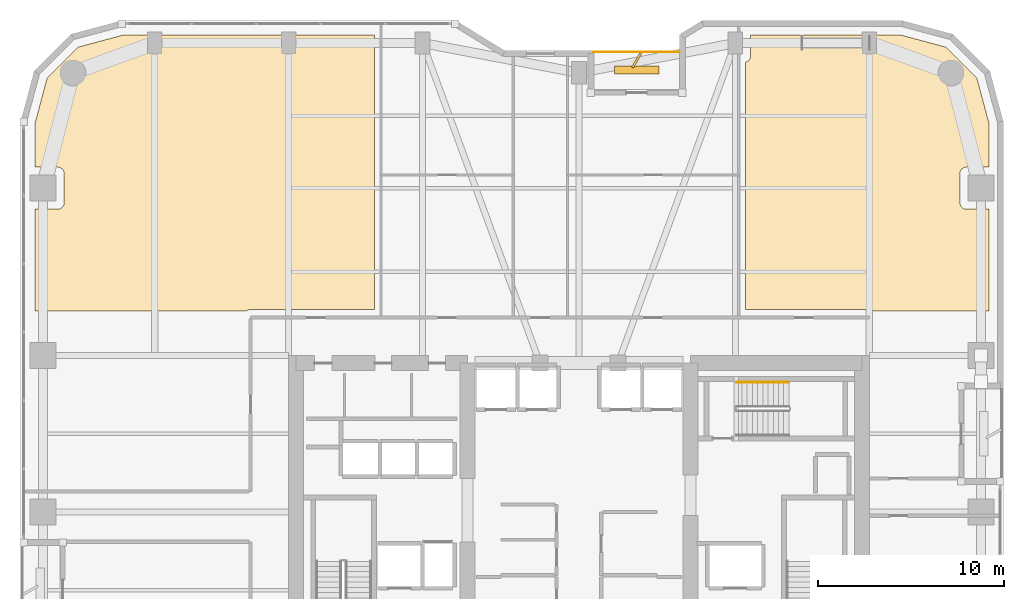
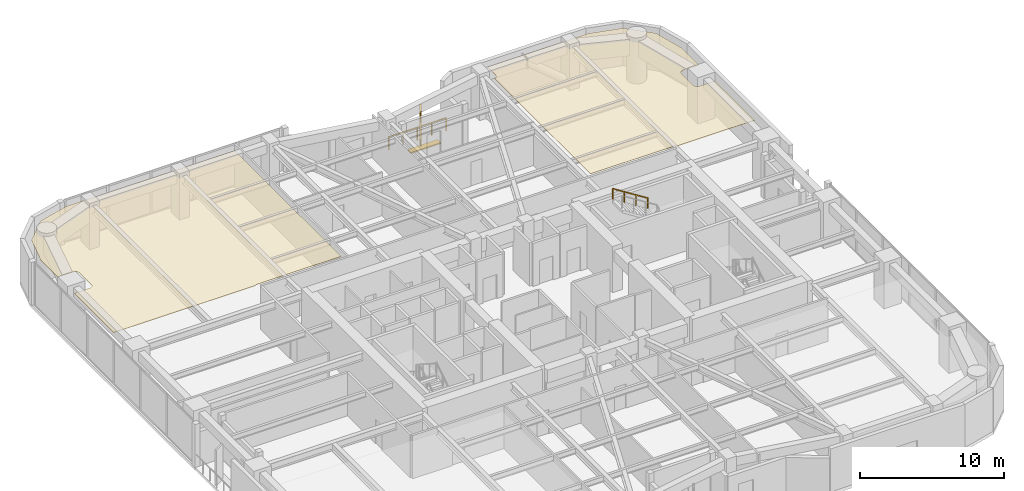
# One storey, part 24 of 24: 2 coverings, 2 railings, 2 shading devices.
"""IFC4 building model written with IfcOpenShell, lengths in metres."""

from ifc_helpers import new_model, si_unit, direction, frame, origin, origin_2d, place, context, subcontext, project, spatial, polyline, rectangle, outline, extrude, material, layer, layer_set, type_object, element, save


model = new_model("IFC4")

# Units and contexts
model_context = context("Model", 3, precision=1e-05, world=origin(), true_north=direction((0.0, 1.0)))
body_context = subcontext(model_context, "Body", "Model", "MODEL_VIEW")
ifc_project = project(units=[si_unit("LENGTHUNIT", "METRE"), si_unit("AREAUNIT", "SQUARE_METRE"), si_unit("VOLUMEUNIT", "CUBIC_METRE"), si_unit("PLANEANGLEUNIT", "RADIAN"), si_unit("MASSUNIT", "GRAM", prefix="KILO")], contexts=[model_context])

# Site, building, storey
site_placement = place(None, origin())
site = spatial("IfcSite", under=ifc_project, at=site_placement, CompositionType="ELEMENT")
building_placement = place(site_placement, origin())
building = spatial("IfcBuilding", under=site, at=building_placement, Name="Kiyonajd Concourse Tower", CompositionType="ELEMENT")
storey_placement = place(building_placement, frame((0.0, 0.0, 133.800048828125)))
storey = spatial("IfcBuildingStorey", under=building, at=storey_placement, Name="L34", CompositionType="ELEMENT", Elevation=133.800048828125)

# Coverings
ifc_material_1 = material(Name="Natural Oak Acoustic Timber Veneer", Category="wood")
ifc_layer = layer(ifc_material_1, 0.0400390625)
ifc_layer_set = layer_set([ifc_layer], Name="Natural Oak Acoustic Timber Veneer")
covering_type = type_object("IfcCoveringType", Name="CV-CLG-ACST", PredefinedType="CEILING", material=ifc_layer_set)
covering_1_placement = place(storey_placement, frame((0.0, 0.0, 3.4599609375)))
element("IfcCovering", 1, at=covering_1_placement, inside=storey, type_object=covering_type, Name="L34-44 Room Acoustic Ceiling", PredefinedType="CEILING", context=body_context, shape_type="SweptSolid", body=[
    extrude(outline(polyline([(21.097900390625, 60.986083984375), (23.5009765625, 61.6298828125), (37.010009765625, 61.6298828125), (37.010009765625, 46.8798828125), (30.35009765625, 46.8798828125), (30.219970703125, 46.860107421875), (30.156982421875, 46.833984375), (30.10205078125, 46.800048828125), (18.77001953125, 46.800048828125), (18.77001953125, 52.27001953125), (19.97998046875, 52.27001953125), (20.048095703125, 52.277099609375), (20.14501953125, 52.31103515625), (20.201904296875, 52.34912109375), (20.2509765625, 52.39794921875), (20.2890625, 52.455078125), (20.31494140625, 52.51806640625), (20.330078125, 52.6201171875), (20.330078125, 54.179931640625), (20.31494140625, 54.281982421875), (20.2890625, 54.344970703125), (20.2509765625, 54.402099609375), (20.201904296875, 54.450927734375), (20.14501953125, 54.489013671875), (20.08203125, 54.514892578125), (20.013916015625, 54.528076171875), (18.77001953125, 54.530029296875), (18.77001953125, 56.89892578125), (19.4140625, 59.302001953125), (21.097900390625, 60.986083984375)])), origin(), (0.0, 0.0, 1.0), 0.0400390625),
])
covering_2_placement = place(storey_placement, frame((0.0, 0.0, 3.4599609375)))
element("IfcCovering", 2, at=covering_2_placement, inside=storey, type_object=covering_type, Name="L34-50 Room Acoustic Ceiling", PredefinedType="CEILING", context=body_context, shape_type="SweptSolid", body=[
    extrude(outline(polyline([(57.22998046875, 61.6298828125), (65.299072265625, 61.6298828125), (67.701904296875, 60.986083984375), (69.385986328125, 59.302001953125), (70.030029296875, 56.89892578125), (70.030029296875, 54.530029296875), (68.785888671875, 54.528076171875), (68.718017578125, 54.514892578125), (68.655029296875, 54.489013671875), (68.597900390625, 54.450927734375), (68.549072265625, 54.402099609375), (68.510986328125, 54.344970703125), (68.485107421875, 54.281982421875), (68.469970703125, 54.179931640625), (68.471923828125, 52.5859375), (68.4970703125, 52.486083984375), (68.549072265625, 52.39794921875), (68.597900390625, 52.34912109375), (68.655029296875, 52.31103515625), (68.751953125, 52.277099609375), (68.820068359375, 52.27001953125), (70.030029296875, 52.27001953125), (70.030029296875, 46.800048828125), (63.847900390625, 46.800048828125), (63.79296875, 46.833984375), (63.72998046875, 46.860107421875), (63.60009765625, 46.8798828125), (56.9599609375, 46.8798828125), (56.9599609375, 60.179931640625), (57.044921875, 60.2109375), (57.126953125, 60.27294921875), (57.18896484375, 60.35498046875), (57.222900390625, 60.451904296875), (57.22998046875, 60.52001953125), (57.22998046875, 61.6298828125)])), origin(), (0.0, 0.0, 1.0), 0.0400390625),
])

# Railings
ifc_material_2 = material(Name="Thermally Broken Anodised Aluminium", Category="aluminium")
railing_type_1 = type_object("IfcRailingType", Name="RL-GRD-LOG", PredefinedType="GUARDRAIL", material=ifc_material_2)
railing_1_placement = place(storey_placement, frame((53.39990234375, 60.719970703125, 0.0)))
element("IfcRailing", 3, at=railing_1_placement, inside=storey, type_object=railing_type_1, Name="L34 Engawa Loggia Perimeter Guard LOG-N", PredefinedType="GUARDRAIL", context=body_context, shape_type="SweptSolid", body=[
    extrude(rectangle(XDim=0.048095703125, YDim=0.048095703125, at=origin_2d()), frame((0.0, 0.0, 1.076171875), z_axis=(-1.0, 0.0, 0.0), x_axis=(0.0, -1.0, 0.0)), (0.0, 0.0, 1.0), 4.599853515625),
    extrude(rectangle(XDim=0.0419921875, YDim=0.0419921875, at=origin_2d()), origin(), (0.0, 0.0, 1.0), 1.052001953125),
    extrude(rectangle(XDim=0.0419921875, YDim=0.0419921875, at=origin_2d()), frame((-1.14990234375, 0.0, 0.0)), (0.0, 0.0, 1.0), 1.052001953125),
    extrude(rectangle(XDim=0.0419921875, YDim=0.0419921875, at=origin_2d()), frame((-2.2998046875, 0.0, 0.0)), (0.0, 0.0, 1.0), 1.052001953125),
    extrude(rectangle(XDim=0.0419921875, YDim=0.0419921875, at=origin_2d()), frame((-3.449951171875, 0.0, 0.0)), (0.0, 0.0, 1.0), 1.052001953125),
    extrude(rectangle(XDim=0.0419921875, YDim=0.0419921875, at=origin_2d()), frame((-4.599853515625, 0.0, 0.0)), (0.0, 0.0, 1.0), 1.052001953125),
])
ifc_material_3 = material(Name="Brushed Stainless Steel Cab Assembly", Category="steel")
railing_type_2 = type_object("IfcRailingType", Name="RL-HND-900", PredefinedType="HANDRAIL", material=ifc_material_3)
railing_2_placement = place(storey_placement, frame((59.280029296875, 42.969970703125, 2.127197265625)))
element("IfcRailing", 4, at=railing_2_placement, inside=storey, type_object=railing_type_2, Name="L34 ST3 stair handrail 2", PredefinedType="HANDRAIL", context=body_context, shape_type="SweptSolid", body=[
    extrude(rectangle(XDim=0.048095703125, YDim=0.048095703125, at=origin_2d()), frame((0.0, 0.0, 0.8759765625), z_axis=(-0.844908973607, 0.0, 0.534910110503), x_axis=(0.0, -1.0, 0.0)), (0.0, 0.0, 1.0), 3.31396484375),
    extrude(rectangle(XDim=0.0419921875, YDim=0.0419921875, at=origin_2d()), origin(), (0.0, 0.0, 1.0), 0.851806640625),
    extrude(rectangle(XDim=0.0419921875, YDim=0.0419921875, at=origin_2d()), frame((-0.933349609375, 0.0, 0.5908203125)), (0.0, 0.0, 1.0), 0.851806640625),
    extrude(rectangle(XDim=0.0419921875, YDim=0.0419921875, at=origin_2d()), frame((-1.86669921875, 0.0, 1.181884765625)), (0.0, 0.0, 1.0), 0.851806640625),
    extrude(rectangle(XDim=0.0419921875, YDim=0.0419921875, at=origin_2d()), frame((-2.800048828125, 0.0, 1.772705078125)), (0.0, 0.0, 1.0), 0.851806640625),
])

# Shading devices
ifc_material_4 = material(Name="Precast concrete C50/60", Category="concrete")
shading_device_type_1 = type_object("IfcShadingDeviceType", Name="SH-FIN-900", PredefinedType="USERDEFINED", material=ifc_material_4)
shading_device_1_placement = place(storey_placement, frame((51.10009765625, 60.27001953125, 0.0), z_axis=(0.0, 0.0, 1.0), x_axis=(0.5, 0.866025403784, 0.0)))
element("IfcShadingDevice", 5, at=shading_device_1_placement, inside=storey, type_object=shading_device_type_1, Name="L34 Angled Koshi Solar Fin LOG-N", ObjectType="FIN", PredefinedType="USERDEFINED", context=body_context, shape_type="SweptSolid", body=[
    extrude(rectangle(XDim=0.89990234375, YDim=0.1201171875, at=origin_2d()), origin(), (0.0, 0.0, 1.0), 3.0),
])
shading_device_type_2 = type_object("IfcShadingDeviceType", Name="SH-LVR-600", PredefinedType="JALOUSIE", material=ifc_material_2)
shading_device_2_placement = place(storey_placement, frame((51.10009765625, 59.75, 0.0), z_axis=(0.0, 0.0, 1.0), x_axis=(1.0, 0.0, 0.0)))
element("IfcShadingDevice", 6, at=shading_device_2_placement, inside=storey, type_object=shading_device_type_2, Name="L34 Loggia Threshold Louver LOG-N", PredefinedType="JALOUSIE", context=body_context, shape_type="SweptSolid", body=[
    extrude(rectangle(XDim=2.39990234375, YDim=0.449951171875, at=origin_2d()), origin(), (0.0, 0.0, 1.0), 0.10009765625),
])

save(model, "model.ifc")
